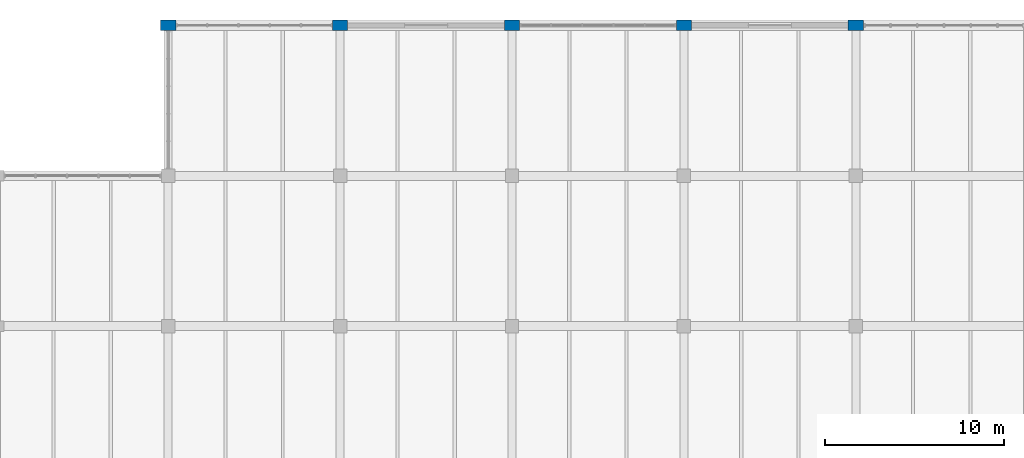
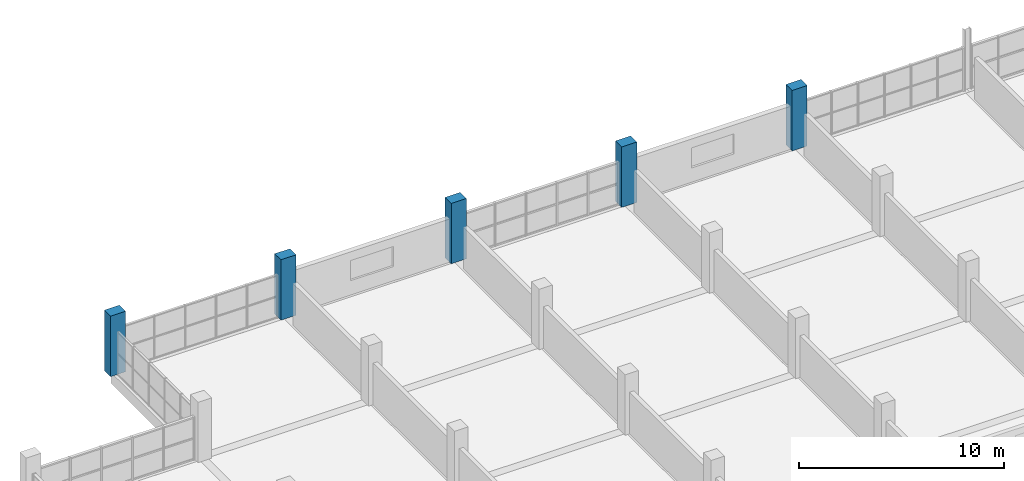
# One storey, part 18 of 147: 5 columns.
"""IFC4 building model written with IfcOpenShell, lengths in metres."""

from ifc_helpers import new_model, si_unit, direction, frame, origin, origin_2d, place, context, subcontext, project, spatial, rectangle, extrude, material, material_profile, profile_set, type_object, element, save


model = new_model("IFC4")

# Units and contexts
model_context = context("Model", 3, precision=1e-05, world=origin(), true_north=direction((0.0, 1.0)))
body_context = subcontext(model_context, "Body", "Model", "MODEL_VIEW")
ifc_project = project(units=[si_unit("LENGTHUNIT", "METRE"), si_unit("AREAUNIT", "SQUARE_METRE"), si_unit("VOLUMEUNIT", "CUBIC_METRE"), si_unit("PLANEANGLEUNIT", "RADIAN"), si_unit("MASSUNIT", "GRAM", prefix="KILO")], contexts=[model_context])

# Site, building, storey
site_placement = place(None, origin())
site = spatial("IfcSite", under=ifc_project, at=site_placement, CompositionType="ELEMENT")
building_placement = place(site_placement, origin())
building = spatial("IfcBuilding", under=site, at=building_placement, Name="Oolite Switchyard Hospital", CompositionType="ELEMENT")
storey_placement = place(building_placement, frame((0.0, 0.0, 9.89990234375)))
storey = spatial("IfcBuildingStorey", under=building, at=storey_placement, Name="L02", CompositionType="ELEMENT", Elevation=9.89990234375)

# Columns
ifc_material = material(Name="Concrete C50/60", Category="concrete")
ifc_material_profile = material_profile(ifc_material, rectangle(XDim=0.85009765625, YDim=0.60009765625, at=origin_2d()), Name="RC850X600")
ifc_profile_set = profile_set([ifc_material_profile], Name="Concrete C50/60")
column_type = type_object("IfcColumnType", Name="COL-RCR850", PredefinedType="COLUMN", material=ifc_profile_set)
for number, where, z_axis, x_axis, name in (
    (1, (9.60009765625, 134.39990234375, 0.0), (0.0, 0.0, 1.0), (1.0, 0.0, 0.0), "L02 Column 669"),
    (2, (19.199951171875, 134.39990234375, 0.0), (0.0, 0.0, 1.0), (1.0, 0.0, 0.0), "L02 Column 682"),
    (3, (28.800048828125, 134.39990234375, 0.0), (0.0, 0.0, 1.0), (1.0, 0.0, 0.0), "L02 Column 695"),
    (4, (38.39990234375, 134.39990234375, 0.0), (0.0, 0.0, 1.0), (1.0, 0.0, 0.0), "L02 Column 708"),
    (5, (48.0, 134.39990234375, 0.0), (0.0, 0.0, 1.0), (1.0, 0.0, 0.0), "L02 Column 721"),
):
    element("IfcColumn", number, at=place(storey_placement, frame(where, z_axis=z_axis, x_axis=x_axis)), inside=storey, type_object=column_type, Name=name, PredefinedType="COLUMN", context=body_context, shape_type="SweptSolid", body=[
        extrude(rectangle(XDim=0.85009765625, YDim=0.60009765625, at=origin_2d()), origin(), (0.0, 0.0, 1.0), 3.60009765625),
    ])

save(model, "model.ifc")
